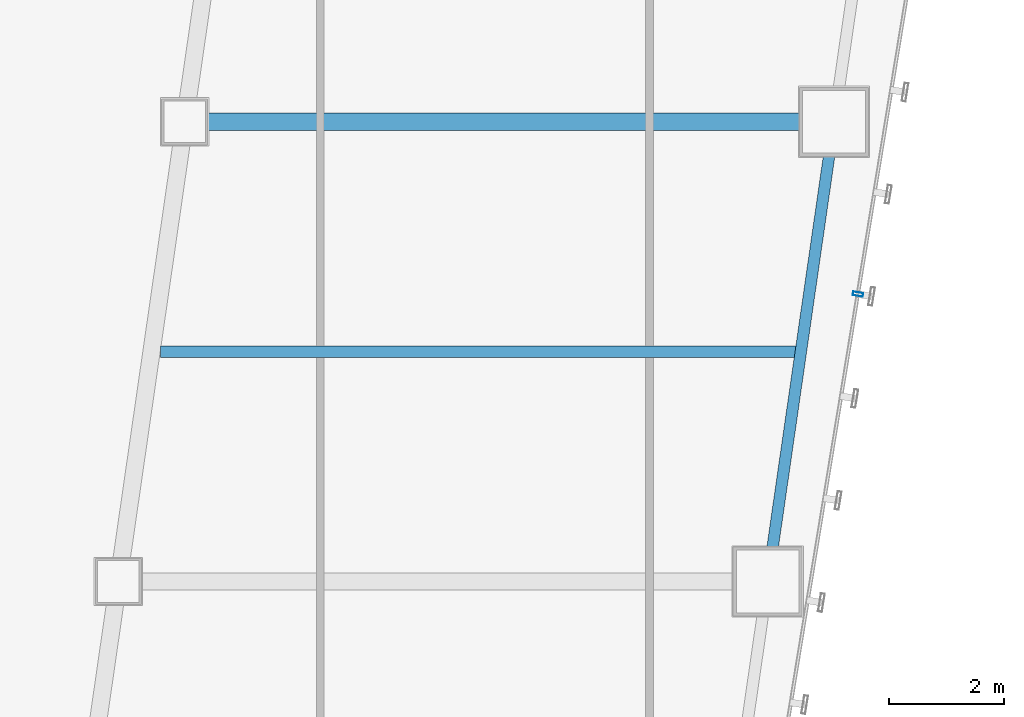
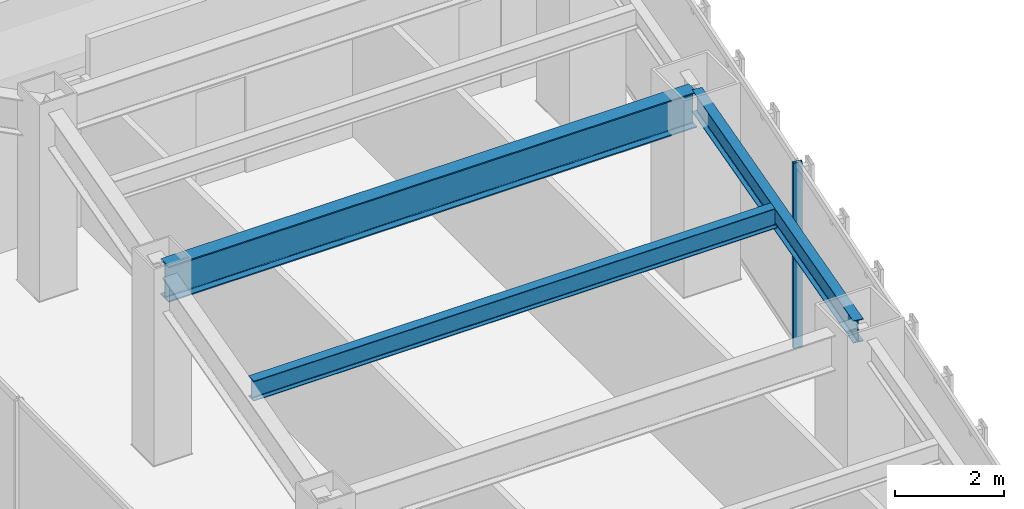
# One storey, part 21 of 49: 3 beams, 1 member, 1 element without a shape of its own.
"""IFC4 building model written with IfcOpenShell, lengths in metres."""

from ifc_helpers import new_model, si_unit, direction, frame, origin, origin_2d, place, context, subcontext, project, spatial, hollow_rectangle, i_section, extrude, material, material_profile, profile_set, type_object, element, aggregate, save


model = new_model("IFC4")

# Units and contexts
model_context = context("Model", 3, precision=1e-05, world=origin(), true_north=direction((0.0, 1.0)))
body_context = subcontext(model_context, "Body", "Model", "MODEL_VIEW")
ifc_project = project(units=[si_unit("LENGTHUNIT", "METRE"), si_unit("AREAUNIT", "SQUARE_METRE"), si_unit("VOLUMEUNIT", "CUBIC_METRE"), si_unit("PLANEANGLEUNIT", "RADIAN"), si_unit("MASSUNIT", "GRAM", prefix="KILO")], contexts=[model_context])

# Site, building, storey
site_placement = place(None, origin())
site = spatial("IfcSite", under=ifc_project, at=site_placement, CompositionType="ELEMENT")
building_placement = place(site_placement, origin())
building = spatial("IfcBuilding", under=site, at=building_placement, Name="Saevonmaru Cultural Tower", CompositionType="ELEMENT")
storey_placement = place(building_placement, frame((0.0, 0.0, 38.39990234375)))
storey = spatial("IfcBuildingStorey", under=building, at=storey_placement, Name="L07", CompositionType="ELEMENT", Elevation=38.39990234375)

# Beams
ifc_material_1 = material(Name="Steel SM420", Category="steel")
ifc_material_profile_1 = material_profile(ifc_material_1, i_section(OverallWidth=0.300048828125, OverallDepth=0.800048828125, WebThickness=0.013916015625, FlangeThickness=0.02587890625, FilletRadius=0.028076171875, at=origin_2d()), Name="H-800x300x14x26")
ifc_profile_set_1 = profile_set([ifc_material_profile_1], Name="Steel SM420")
beam_type_1 = type_object("IfcBeamType", Name="BM-G-H800", PredefinedType="BEAM", material=ifc_profile_set_1)
beam_1_placement = place(storey_placement, frame((40.443115234375, 32.0, 3.75), z_axis=(1.0, 0.0, 0.0), x_axis=(0.0, 1.0, 0.0)))
element("IfcBeam", 1, at=beam_1_placement, inside=storey, type_object=beam_type_1, Name="L07 East Wing Transverse Girder 5", PredefinedType="BEAM", context=body_context, shape_type="SweptSolid", body=[
    extrude(i_section(OverallWidth=0.300048828125, OverallDepth=0.800048828125, WebThickness=0.013916015625, FlangeThickness=0.02587890625, FilletRadius=0.028076171875, at=origin_2d()), origin(), (0.0, 0.0, 1.0), 11.179931640625),
])
ifc_material_2 = material(Name="Steel SM355", Category="steel")
ifc_material_profile_2 = material_profile(ifc_material_2, i_section(OverallWidth=0.199951171875, OverallDepth=0.449951171875, WebThickness=0.009033203125, FlangeThickness=0.013916015625, FilletRadius=0.01806640625, at=origin_2d()), Name="H-450x200x9x14")
ifc_profile_set_2 = profile_set([ifc_material_profile_2], Name="Steel SM355")
beam_type_2 = type_object("IfcBeamType", Name="BM-J-H450", PredefinedType="JOIST", material=ifc_profile_set_2)
beam_2_placement = place(storey_placement, frame((39.96337890625, 28.0, 3.925048828125), z_axis=(1.0, 0.0, 0.0), x_axis=(0.0, 1.0, 0.0)))
element("IfcBeam", 2, at=beam_2_placement, inside=storey, type_object=beam_type_2, Name="L07 East Wing Floor Joist 4", PredefinedType="JOIST", context=body_context, shape_type="SweptSolid", body=[
    extrude(i_section(OverallWidth=0.199951171875, OverallDepth=0.449951171875, WebThickness=0.009033203125, FlangeThickness=0.013916015625, FilletRadius=0.01806640625, at=origin_2d()), origin(), (0.0, 0.0, 1.0), 11.08203125),
])
ifc_material_profile_3 = material_profile(ifc_material_2, i_section(OverallWidth=0.199951171875, OverallDepth=0.5, WebThickness=0.010009765625, FlangeThickness=0.01611328125, FilletRadius=0.02001953125, at=origin_2d()), Name="H-500x200x10x16")
ifc_profile_set_3 = profile_set([ifc_material_profile_3], Name="Steel SM355")
beam_type_3 = type_object("IfcBeamType", Name="BM-SP-H500", PredefinedType="SPANDREL", material=ifc_profile_set_3)
beam_3_placement = place(storey_placement, frame((50.53662109375, 24.059326171875, 3.900146484375), z_axis=(0.142871999001, 0.989741174197, 0.0), x_axis=(-0.989741174197, 0.142871999001, 0.0)))
element("IfcBeam", 3, at=beam_3_placement, inside=storey, type_object=beam_type_3, Name="L07 East Splayed Spandrel 4", PredefinedType="SPANDREL", context=body_context, shape_type="SweptSolid", body=[
    extrude(i_section(OverallWidth=0.199951171875, OverallDepth=0.5, WebThickness=0.010009765625, FlangeThickness=0.01611328125, FilletRadius=0.02001953125, at=origin_2d()), origin(), (0.0, 0.0, 1.0), 7.963134765625),
])

# Curtain wall, member
ifc_material_3 = material(Name="Satin Bronze Anodised Aluminium", Category="aluminium")
curtain_wall_type = type_object("IfcCurtainWallType", Name="CW-TYP-A", PredefinedType="NOTDEFINED", material=ifc_material_3)
curtain_wall_placement = place(storey_placement, origin())
curtain_wall = element("IfcCurtainWall", 4, at=curtain_wall_placement, inside=storey, type_object=curtain_wall_type, Name="L07 Unitised Curtain Wall E8", PredefinedType="NOTDEFINED")
ifc_material_profile_4 = material_profile(ifc_material_3, hollow_rectangle(XDim=0.06494140625, YDim=0.179931640625, WallThickness=0.00390625, at=origin_2d()), Name="ALU-MULL-180x65x4")
ifc_profile_set_4 = profile_set([ifc_material_profile_4], Name="Satin Bronze Anodised Aluminium")
member_type = type_object("IfcMemberType", Name="ML-CW-180x65", PredefinedType="MULLION", material=ifc_profile_set_4)
member_placement = place(storey_placement, frame((52.10009765625, 29.0, 0.0), z_axis=(0.0, 0.0, 1.0), x_axis=(0.161708868641, 0.986838508472, 0.0)))
member = element("IfcMember", 5, at=member_placement, type_object=member_type, Name="CW-TW-L07-E8 mullion 3", PredefinedType="MULLION", context=body_context, shape_type="SweptSolid", body=[
    extrude(hollow_rectangle(XDim=0.06494140625, YDim=0.179931640625, WallThickness=0.00390625, at=origin_2d()), origin(), (0.0, 0.0, 1.0), 4.150146484375),
])
aggregate(curtain_wall, [member])

save(model, "model.ifc")
